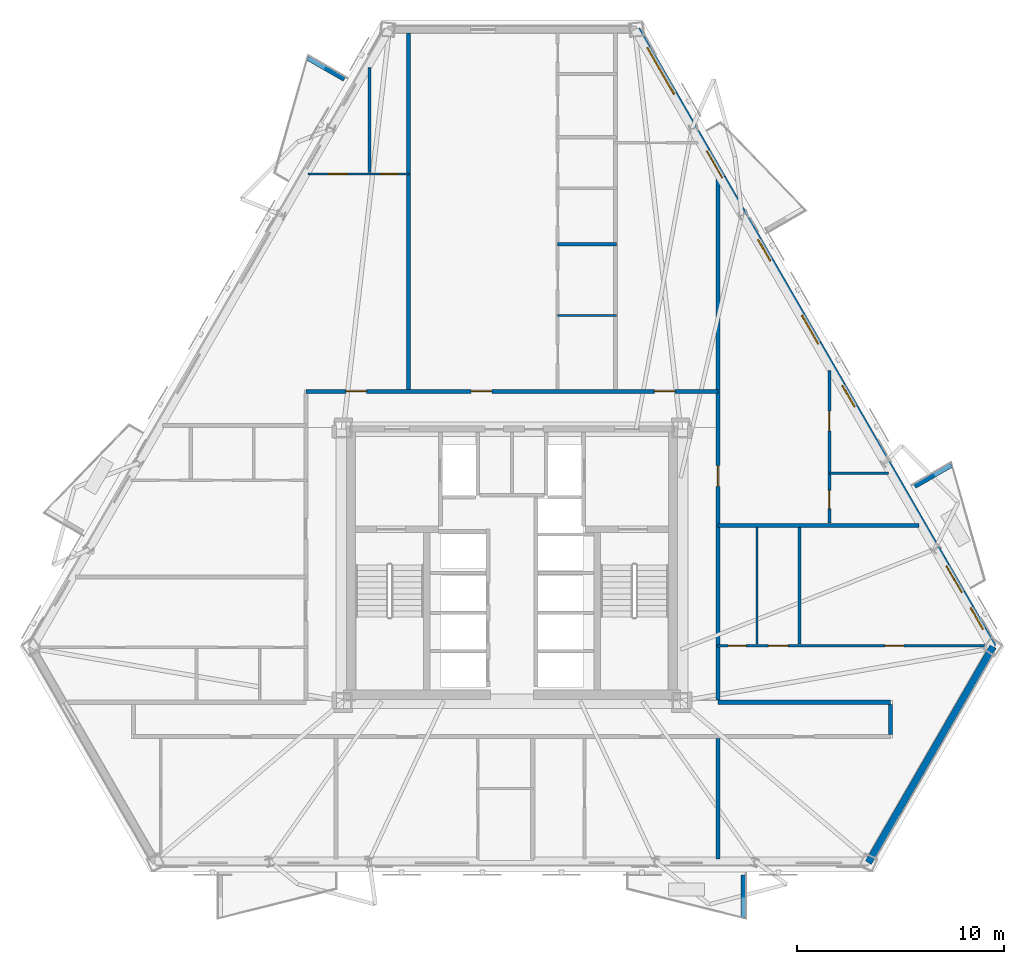
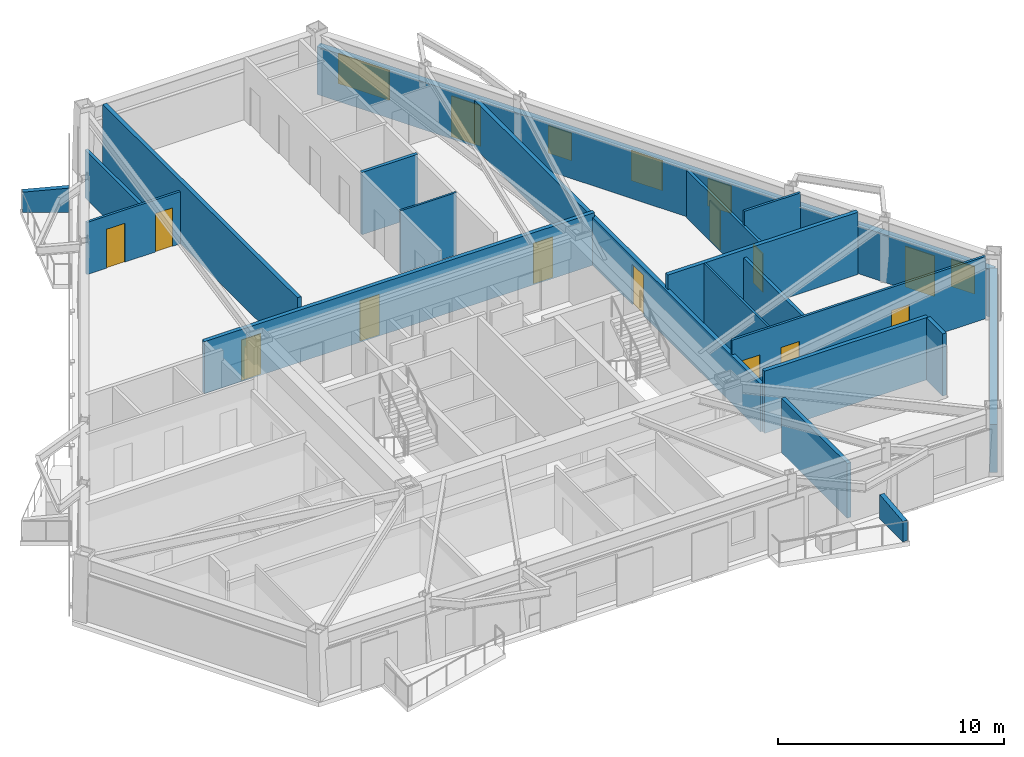
# One storey, part 5 of 10: 21 walls, 13 doors, 5 windows, 18 openings.
"""IFC4 building model written with IfcOpenShell, lengths in metres."""

from ifc_helpers import new_model, si_unit, direction, frame, frame_2d, origin, place, context, subcontext, project, spatial, polyline, rectangle, outline, extrude, material, layer, layer_set, type_object, element, fill, save


model = new_model("IFC4")

# Units and contexts
model_context = context("Model", 3, precision=1e-05, world=origin(), true_north=direction((0.0, 1.0)))
body_context = subcontext(model_context, "Body", "Model", "MODEL_VIEW")
ifc_project = project(units=[si_unit("LENGTHUNIT", "METRE"), si_unit("AREAUNIT", "SQUARE_METRE"), si_unit("VOLUMEUNIT", "CUBIC_METRE"), si_unit("PLANEANGLEUNIT", "RADIAN"), si_unit("MASSUNIT", "GRAM", prefix="KILO")], contexts=[model_context])

# Site, building, storey
site_placement = place(None, origin())
site = spatial("IfcSite", under=ifc_project, at=site_placement, CompositionType="ELEMENT")
building_placement = place(site_placement, origin())
building = spatial("IfcBuilding", under=site, at=building_placement, Name="Oramaril Tower", CompositionType="ELEMENT")
storey_placement = place(building_placement, frame((0.0, 0.0, 96.89990234375)))
storey = spatial("IfcBuildingStorey", under=building, at=storey_placement, Name="L25", CompositionType="ELEMENT", Elevation=96.89990234375)

# Wall
ifc_material_1 = material(Name="Warm Cream Limestone", Category="masonry")
ifc_layer_1 = layer(ifc_material_1, 0.340087890625)
ifc_layer_set_1 = layer_set([ifc_layer_1], Name="WT-EXT34")
wall_type_1 = type_object("IfcWallType", Name="WT-EXT34", PredefinedType="SOLIDWALL", material=ifc_layer_set_1)
wall_1_placement = place(storey_placement, frame((54.718505859375, 3.198486328125, 0.0), z_axis=(0.0, 0.0, 1.0), x_axis=(0.499978975251, 0.866037542088, 0.0)))
element("IfcWall", 1, at=wall_1_placement, inside=storey, type_object=wall_type_1, Name="L25 Tower Limestone Facade Wall 3M", PredefinedType="SOLIDWALL", context=body_context, shape_type="SweptSolid", body=[
    extrude(rectangle(XDim=12.0556640625, YDim=0.340087890625, at=frame_2d((6.02783203125, 0.0))), origin(), (0.0, 0.0, 1.0), 2.578125),
])

# Wall, openings, doors, windows
wall_2_placement = place(storey_placement, frame((60.74609375, 13.63916015625, 0.0), z_axis=(0.0, 0.0, 1.0), x_axis=(-0.499995749028, 0.86602785807, 0.0)))
wall_2 = element("IfcWall", 2, at=wall_2_placement, inside=storey, type_object=wall_type_1, Name="L25 Tower Limestone Facade Wall 4M", PredefinedType="SOLIDWALL", context=body_context, shape_type="SweptSolid", body=[
    extrude(rectangle(XDim=34.436767578125, YDim=0.340087890625, at=frame_2d((17.21826171875, 0.0))), origin(), (0.0, 0.0, 1.0), 2.578125),
])
opening_1_placement = place(wall_2_placement, frame((3.009521484375, 0.0, 0.0)))
opening_1 = element("IfcOpeningElement", 3, at=opening_1_placement, cuts=wall_2, Name="Opening D-L25-BAL-NE1", PredefinedType="OPENING", context=body_context, shape_type="SweptSolid", body=[
    extrude(rectangle(XDim=1.5, YDim=2.199951171875, at=frame_2d((0.75, 1.10009765625))), frame((0.0, 0.169921875, 0.0), z_axis=(0.0, -1.0, 0.0), x_axis=(1.0, 0.0, 0.0)), (0.0, 0.0, 1.0), 0.340087890625),
])
opening_2_placement = place(wall_2_placement, frame((26.162353515625, 0.0, 0.0)))
opening_2 = element("IfcOpeningElement", 4, at=opening_2_placement, cuts=wall_2, Name="Opening D-L25-BAL-NE2", PredefinedType="OPENING", context=body_context, shape_type="SweptSolid", body=[
    extrude(rectangle(XDim=1.5, YDim=2.199951171875, at=frame_2d((0.75, 1.10009765625))), frame((0.0, 0.169921875, 0.0), z_axis=(0.0, -1.0, 0.0), x_axis=(1.0, 0.0, 0.0)), (0.0, 0.0, 1.0), 0.340087890625),
])
opening_3_placement = place(wall_2_placement, frame((0.966064453125, 0.0, 0.85009765625)))
opening_3 = element("IfcOpeningElement", 5, at=opening_3_placement, cuts=wall_2, Name="Opening WN-09", PredefinedType="OPENING", context=body_context, shape_type="SweptSolid", body=[
    extrude(rectangle(XDim=1.199951171875, YDim=1.47998046875, at=frame_2d((0.60009765625, 0.739990234375))), frame((0.0, 0.169921875, 0.0), z_axis=(0.0, -1.0, 0.0), x_axis=(1.0, 0.0, 0.0)), (0.0, 0.0, 1.0), 0.340087890625),
])
opening_4_placement = place(wall_2_placement, frame((16.892578125, 0.0, 0.85009765625)))
opening_4 = element("IfcOpeningElement", 6, at=opening_4_placement, cuts=wall_2, Name="Opening WN-07", PredefinedType="OPENING", context=body_context, shape_type="SweptSolid", body=[
    extrude(rectangle(XDim=1.60009765625, YDim=1.617919921875, at=frame_2d((0.800048828125, 0.80908203125))), frame((0.0, 0.169921875, 0.0), z_axis=(0.0, -1.0, 0.0), x_axis=(1.0, 0.0, 0.0)), (0.0, 0.0, 1.0), 0.340087890625),
])
opening_5_placement = place(wall_2_placement, frame((21.524169921875, 0.0, 0.85009765625)))
opening_5 = element("IfcOpeningElement", 7, at=opening_5_placement, cuts=wall_2, Name="Opening WN-09", PredefinedType="OPENING", context=body_context, shape_type="SweptSolid", body=[
    extrude(rectangle(XDim=1.199951171875, YDim=1.47998046875, at=frame_2d((0.60009765625, 0.739990234375))), frame((0.0, 0.169921875, 0.0), z_axis=(0.0, -1.0, 0.0), x_axis=(1.0, 0.0, 0.0)), (0.0, 0.0, 1.0), 0.340087890625),
])
opening_6_placement = place(wall_2_placement, frame((13.37744140625, 0.0, 0.85009765625)))
opening_6 = element("IfcOpeningElement", 8, at=opening_6_placement, cuts=wall_2, Name="Opening WN-09", PredefinedType="OPENING", context=body_context, shape_type="SweptSolid", body=[
    extrude(rectangle(XDim=1.199951171875, YDim=1.47998046875, at=frame_2d((0.60009765625, 0.739990234375))), frame((0.0, 0.169921875, 0.0), z_axis=(0.0, -1.0, 0.0), x_axis=(1.0, 0.0, 0.0)), (0.0, 0.0, 1.0), 0.340087890625),
])
opening_7_placement = place(wall_2_placement, frame((30.824462890625, 0.0, 0.85009765625)))
opening_7 = element("IfcOpeningElement", 9, at=opening_7_placement, cuts=wall_2, Name="Opening WN-02", PredefinedType="OPENING", context=body_context, shape_type="SweptSolid", body=[
    extrude(rectangle(XDim=2.60009765625, YDim=1.617919921875, at=frame_2d((1.300048828125, 0.80908203125))), frame((0.0, 0.169921875, 0.0), z_axis=(0.0, -1.0, 0.0), x_axis=(1.0, 0.0, 0.0)), (0.0, 0.0, 1.0), 0.340087890625),
])
ifc_material_2 = material(Name="Anodised Aluminium 6063-T6", Category="aluminium")
door_type_1 = type_object("IfcDoorType", Name="DT-BAL", OperationType="NOTDEFINED", PredefinedType="DOOR", material=ifc_material_2)
door_1_placement = place(opening_1_placement, origin())
door_1 = element("IfcDoor", 10, at=door_1_placement, inside=storey, type_object=door_type_1, Name="L25 Balcony Glazed Door L25-BAL-NE1", OperationType="SINGLE_SWING_RIGHT", OverallHeight=2.199951171875, OverallWidth=1.5, PredefinedType="DOOR", context=body_context, shape_type="SweptSolid", body=[
    extrude(rectangle(XDim=1.5, YDim=2.199951171875, at=frame_2d((0.75, 1.10009765625))), frame((0.0, 0.02490234375, 0.0), z_axis=(0.0, -1.0, 0.0), x_axis=(1.0, 0.0, 0.0)), (0.0, 0.0, 1.0), 0.050048828125),
])
fill(opening_1, door_1)
door_2_placement = place(opening_2_placement, origin())
door_2 = element("IfcDoor", 11, at=door_2_placement, inside=storey, type_object=door_type_1, Name="L25 Balcony Glazed Door L25-BAL-NE2", OperationType="SINGLE_SWING_LEFT", OverallHeight=2.199951171875, OverallWidth=1.5, PredefinedType="DOOR", context=body_context, shape_type="SweptSolid", body=[
    extrude(rectangle(XDim=1.5, YDim=2.199951171875, at=frame_2d((0.75, 1.10009765625))), frame((0.0, 0.02490234375, 0.0), z_axis=(0.0, -1.0, 0.0), x_axis=(1.0, 0.0, 0.0)), (0.0, 0.0, 1.0), 0.050048828125),
])
fill(opening_2, door_2)
ifc_material_3 = material(Name="Coastal Low-E Insulated Glass", Category="glass")
window_type_1 = type_object("IfcWindowType", Name="WNT-02", PartitioningType="SINGLE_PANEL", PredefinedType="WINDOW", material=ifc_material_3)
window_1_placement = place(opening_7_placement, origin())
window_1 = element("IfcWindow", 12, at=window_1_placement, inside=storey, type_object=window_type_1, Name="L25 Chicago Bay Window WN-02", OverallHeight=1.617919921875, OverallWidth=2.60009765625, PartitioningType="SINGLE_PANEL", PredefinedType="WINDOW", context=body_context, shape_type="SweptSolid", body=[
    extrude(rectangle(XDim=2.60009765625, YDim=1.617919921875, at=frame_2d((1.300048828125, 0.80908203125))), frame((0.0, 0.030029296875, 0.0), z_axis=(0.0, -1.0, 0.0), x_axis=(1.0, 0.0, 0.0)), (0.0, 0.0, 1.0), 0.06005859375),
])
fill(opening_7, window_1)
ifc_material_4 = material(Name="Coastal Low-E Insulated Glass", Category="glass")
window_type_2 = type_object("IfcWindowType", Name="WNT-07", PartitioningType="SINGLE_PANEL", PredefinedType="WINDOW", material=ifc_material_4)
window_2_placement = place(opening_4_placement, origin())
window_2 = element("IfcWindow", 13, at=window_2_placement, inside=storey, type_object=window_type_2, Name="L25 Chicago Bay Window WN-07", OverallHeight=1.617919921875, OverallWidth=1.60009765625, PartitioningType="SINGLE_PANEL", PredefinedType="WINDOW", context=body_context, shape_type="SweptSolid", body=[
    extrude(rectangle(XDim=1.60009765625, YDim=1.617919921875, at=frame_2d((0.800048828125, 0.80908203125))), frame((0.0, 0.030029296875, 0.0), z_axis=(0.0, -1.0, 0.0), x_axis=(1.0, 0.0, 0.0)), (0.0, 0.0, 1.0), 0.06005859375),
])
fill(opening_4, window_2)
ifc_material_5 = material(Name="Coastal Low-E Insulated Glass", Category="glass")
window_type_3 = type_object("IfcWindowType", Name="WNT-09", PartitioningType="SINGLE_PANEL", PredefinedType="WINDOW", material=ifc_material_5)
window_3_placement = place(opening_3_placement, origin())
window_3 = element("IfcWindow", 14, at=window_3_placement, inside=storey, type_object=window_type_3, Name="L25 Chicago Bay Window WN-09", OverallHeight=1.47998046875, OverallWidth=1.199951171875, PartitioningType="SINGLE_PANEL", PredefinedType="WINDOW", context=body_context, shape_type="SweptSolid", body=[
    extrude(rectangle(XDim=1.199951171875, YDim=1.47998046875, at=frame_2d((0.60009765625, 0.739990234375))), frame((0.0, 0.030029296875, 0.0), z_axis=(0.0, -1.0, 0.0), x_axis=(1.0, 0.0, 0.0)), (0.0, 0.0, 1.0), 0.06005859375),
])
fill(opening_3, window_3)
window_4_placement = place(opening_5_placement, origin())
window_4 = element("IfcWindow", 15, at=window_4_placement, inside=storey, type_object=window_type_3, Name="L25 Chicago Bay Window WN-09", OverallHeight=1.47998046875, OverallWidth=1.199951171875, PartitioningType="SINGLE_PANEL", PredefinedType="WINDOW", context=body_context, shape_type="SweptSolid", body=[
    extrude(rectangle(XDim=1.199951171875, YDim=1.47998046875, at=frame_2d((0.60009765625, 0.739990234375))), frame((0.0, 0.030029296875, 0.0), z_axis=(0.0, -1.0, 0.0), x_axis=(1.0, 0.0, 0.0)), (0.0, 0.0, 1.0), 0.06005859375),
])
fill(opening_5, window_4)
window_5_placement = place(opening_6_placement, origin())
window_5 = element("IfcWindow", 16, at=window_5_placement, inside=storey, type_object=window_type_3, Name="L25 Chicago Bay Window WN-09", OverallHeight=1.47998046875, OverallWidth=1.199951171875, PartitioningType="SINGLE_PANEL", PredefinedType="WINDOW", context=body_context, shape_type="SweptSolid", body=[
    extrude(rectangle(XDim=1.199951171875, YDim=1.47998046875, at=frame_2d((0.60009765625, 0.739990234375))), frame((0.0, 0.030029296875, 0.0), z_axis=(0.0, -1.0, 0.0), x_axis=(1.0, 0.0, 0.0)), (0.0, 0.0, 1.0), 0.06005859375),
])
fill(opening_6, window_5)

# Walls
ifc_material_6 = material(Name="Concrete C40/50", Category="concrete")
ifc_layer_2 = layer(ifc_material_6, 0.22998046875)
ifc_layer_set_2 = layer_set([ifc_layer_2], Name="WT-PRP23")
wall_type_2 = type_object("IfcWallType", Name="WT-PRP23", PredefinedType="PARAPET", material=ifc_layer_set_2)
for number, where, z_axis, x_axis, name in (
    (17, (48.67919921875, 2.6005859375, 0.0), (0.0, 0.0, 1.0), (0.0, -1.0, 0.0), "L25 Trapezoidal Balcony Frame Cheek L25-BAL-S2-R"),
    (18, (56.9619140625, 21.3896484375, 0.0), (0.0, 0.0, 1.0), (0.866012356593, 0.500022597718, 0.0), "L25 Trapezoidal Balcony Frame Cheek L25-BAL-NE1-R"),
    (19, (29.397216796875, 41.064208984375, 0.0), (0.0, 0.0, 1.0), (-0.866042246008, 0.499970827278, 0.0), "L25 Trapezoidal Balcony Frame Cheek L25-BAL-NW1-L"),
):
    element("IfcWall", number, at=place(storey_placement, frame(where, z_axis=z_axis, x_axis=x_axis)), inside=storey, type_object=wall_type_2, Name=name, PredefinedType="PARAPET", context=body_context, shape_type="SweptSolid", body=[
        extrude(outline(polyline([(0.0, 0.0), (2.0419921875, 0.0), (2.0419921875, 1.10009765625), (0.0, 1.320068359375), (0.0, 0.0)])), frame((0.0, 0.114990234375, 0.0), z_axis=(0.0, -1.0, 0.0), x_axis=(1.0, 0.0, 0.0)), (0.0, 0.0, 1.0), 0.22998046875),
    ])
ifc_material_7 = material(Name="Acoustic Gypsum Board Partition")
ifc_layer_3 = layer(ifc_material_7, 0.10009765625)
ifc_layer_set_3 = layer_set([ifc_layer_3], Name="WT-PT10")
wall_type_3 = type_object("IfcWallType", Name="WT-PT10", PredefinedType="PARTITIONING", material=ifc_layer_set_3)
wall_3_placement = place(storey_placement, frame((39.699951171875, 29.639892578125, 0.0), z_axis=(0.0, 0.0, 1.0), x_axis=(1.0, 0.0, 0.0)))
element("IfcWall", 20, at=wall_3_placement, inside=storey, type_object=wall_type_3, Name="L25 Interior Partition PT-10", PredefinedType="PARTITIONING", context=body_context, shape_type="SweptSolid", body=[
    extrude(rectangle(XDim=2.85009765625, YDim=0.10009765625, at=frame_2d((1.425048828125, 0.0))), origin(), (0.0, 0.0, 1.0), 3.360107421875),
])
wall_4_placement = place(storey_placement, frame((49.340087890625, 13.75390625, 0.0), z_axis=(0.0, 0.0, 1.0), x_axis=(0.0, 1.0, 0.0)))
element("IfcWall", 21, at=wall_4_placement, inside=storey, type_object=wall_type_3, Name="L25 Interior Partition PT-10", PredefinedType="PARTITIONING", context=body_context, shape_type="SweptSolid", body=[
    extrude(rectangle(XDim=5.64208984375, YDim=0.10009765625, at=frame_2d((2.821044921875, 0.0))), origin(), (0.0, 0.0, 1.0), 3.360107421875),
])

# Wall, openings, doors
ifc_material_8 = material(Name="Acoustic Gypsum Board Partition")
ifc_layer_4 = layer(ifc_material_8, 0.1201171875)
ifc_layer_set_4 = layer_set([ifc_layer_4], Name="WT-PT12")
wall_type_4 = type_object("IfcWallType", Name="WT-PT12", PredefinedType="PARTITIONING", material=ifc_layer_set_4)
wall_5_placement = place(storey_placement, frame((47.39990234375, 13.68994140625, 0.0), z_axis=(0.0, 0.0, 1.0), x_axis=(1.0, 0.0, 0.0)))
wall_5 = element("IfcWall", 22, at=wall_5_placement, inside=storey, type_object=wall_type_4, Name="L25 Interior Partition PT-12", PredefinedType="PARTITIONING", context=body_context, shape_type="SweptSolid", body=[
    extrude(rectangle(XDim=12.953369140625, YDim=0.1201171875, at=frame_2d((6.4765625, 0.0))), origin(), (0.0, 0.0, 1.0), 3.360107421875),
])
opening_8_placement = place(wall_5_placement, frame((0.5400390625, 0.0, 0.0)))
opening_8 = element("IfcOpeningElement", 23, at=opening_8_placement, cuts=wall_5, Name="Opening D-L25-08", PredefinedType="OPENING", context=body_context, shape_type="SweptSolid", body=[
    extrude(rectangle(XDim=0.8798828125, YDim=2.080078125, at=frame_2d((0.43994140625, 1.0400390625))), frame((0.0, 0.06005859375, 0.0), z_axis=(0.0, -1.0, 0.0), x_axis=(1.0, 0.0, 0.0)), (0.0, 0.0, 1.0), 0.1201171875),
])
opening_9_placement = place(wall_5_placement, frame((2.489990234375, 0.0, 0.0)))
opening_9 = element("IfcOpeningElement", 24, at=opening_9_placement, cuts=wall_5, Name="Opening D-L25-09", PredefinedType="OPENING", context=body_context, shape_type="SweptSolid", body=[
    extrude(rectangle(XDim=0.949951171875, YDim=2.10009765625, at=frame_2d((0.47509765625, 1.050048828125))), frame((0.0, 0.06005859375, 0.0), z_axis=(0.0, -1.0, 0.0), x_axis=(1.0, 0.0, 0.0)), (0.0, 0.0, 1.0), 0.1201171875),
])
opening_10_placement = place(wall_5_placement, frame((8.123046875, 0.0, 0.0)))
opening_10 = element("IfcOpeningElement", 25, at=opening_10_placement, cuts=wall_5, Name="Opening D-L25-10", PredefinedType="OPENING", context=body_context, shape_type="SweptSolid", body=[
    extrude(rectangle(XDim=0.919921875, YDim=2.1201171875, at=frame_2d((0.4599609375, 1.06005859375))), frame((0.0, 0.06005859375, 0.0), z_axis=(0.0, -1.0, 0.0), x_axis=(1.0, 0.0, 0.0)), (0.0, 0.0, 1.0), 0.1201171875),
])
ifc_material_9 = material(Name="FSC Brazilian Freijo Hardwood", Category="wood")
door_type_2 = type_object("IfcDoorType", Name="DT-BATH", OperationType="NOTDEFINED", PredefinedType="DOOR", material=ifc_material_9)
door_3_placement = place(opening_8_placement, origin())
door_3 = element("IfcDoor", 26, at=door_3_placement, inside=storey, type_object=door_type_2, Name="L25 Flat L25-U6 Bathroom Door D-L25-08", OperationType="SINGLE_SWING_RIGHT", OverallHeight=2.080078125, OverallWidth=0.8798828125, PredefinedType="DOOR", context=body_context, shape_type="SweptSolid", body=[
    extrude(rectangle(XDim=0.8798828125, YDim=2.080078125, at=frame_2d((0.43994140625, 1.0400390625))), frame((0.0, 0.02490234375, 0.0), z_axis=(0.0, -1.0, 0.0), x_axis=(1.0, 0.0, 0.0)), (0.0, 0.0, 1.0), 0.050048828125),
])
fill(opening_8, door_3)
ifc_material_10 = material(Name="FSC Brazilian Freijo Hardwood", Category="wood")
door_type_3 = type_object("IfcDoorType", Name="DT-BED", OperationType="NOTDEFINED", PredefinedType="DOOR", material=ifc_material_10)
door_4_placement = place(opening_10_placement, origin())
door_4 = element("IfcDoor", 27, at=door_4_placement, inside=storey, type_object=door_type_3, Name="L25 Flat L25-U6 Master Bedroom Door D-L25-10", OperationType="SINGLE_SWING_RIGHT", OverallHeight=2.1201171875, OverallWidth=0.919921875, PredefinedType="DOOR", context=body_context, shape_type="SweptSolid", body=[
    extrude(rectangle(XDim=0.919921875, YDim=2.1201171875, at=frame_2d((0.4599609375, 1.06005859375))), frame((0.0, 0.02490234375, 0.0), z_axis=(0.0, -1.0, 0.0), x_axis=(1.0, 0.0, 0.0)), (0.0, 0.0, 1.0), 0.050048828125),
])
fill(opening_10, door_4)
ifc_material_11 = material(Name="FSC Brazilian Freijo Hardwood", Category="wood")
door_type_4 = type_object("IfcDoorType", Name="DT-STDY", OperationType="NOTDEFINED", PredefinedType="DOOR", material=ifc_material_11)
door_5_placement = place(opening_9_placement, origin())
door_5 = element("IfcDoor", 28, at=door_5_placement, inside=storey, type_object=door_type_4, Name="L25 Flat L25-U6 Kitchen Door D-L25-09", OperationType="SINGLE_SWING_LEFT", OverallHeight=2.10009765625, OverallWidth=0.949951171875, PredefinedType="DOOR", context=body_context, shape_type="SweptSolid", body=[
    extrude(rectangle(XDim=0.949951171875, YDim=2.10009765625, at=frame_2d((0.47509765625, 1.050048828125))), frame((0.0, 0.02490234375, 0.0), z_axis=(0.0, -1.0, 0.0), x_axis=(1.0, 0.0, 0.0)), (0.0, 0.0, 1.0), 0.050048828125),
])
fill(opening_9, door_5)

# Wall
wall_6_placement = place(storey_placement, frame((52.839111328125, 22.02001953125, 0.0), z_axis=(0.0, 0.0, 1.0), x_axis=(1.0, 0.0, 0.0)))
element("IfcWall", 29, at=wall_6_placement, inside=storey, type_object=wall_type_4, Name="L25 Interior Partition PT-12", PredefinedType="PARTITIONING", context=body_context, shape_type="SweptSolid", body=[
    extrude(rectangle(XDim=2.867431640625, YDim=0.1201171875, at=frame_2d((1.43359375, 0.0))), origin(), (0.0, 0.0, 1.0), 3.360107421875),
])

# Wall, openings, doors
wall_7_placement = place(storey_placement, frame((27.641845703125, 36.47998046875, 0.0), z_axis=(0.0, 0.0, 1.0), x_axis=(1.0, 0.0, 0.0)))
wall_7 = element("IfcWall", 30, at=wall_7_placement, inside=storey, type_object=wall_type_4, Name="L25 Interior Partition PT-12", PredefinedType="PARTITIONING", context=body_context, shape_type="SweptSolid", body=[
    extrude(rectangle(XDim=4.908203125, YDim=0.1201171875, at=frame_2d((2.4541015625, 0.0))), origin(), (0.0, 0.0, 1.0), 2.814208984375),
])
opening_11_placement = place(wall_7_placement, frame((0.978759765625, 0.0, 0.0)))
opening_11 = element("IfcOpeningElement", 31, at=opening_11_placement, cuts=wall_7, Name="Opening D-L25-17", PredefinedType="OPENING", context=body_context, shape_type="SweptSolid", body=[
    extrude(rectangle(XDim=0.949951171875, YDim=2.10009765625, at=frame_2d((0.47509765625, 1.050048828125))), frame((0.0, 0.06005859375, 0.0), z_axis=(0.0, -1.0, 0.0), x_axis=(1.0, 0.0, 0.0)), (0.0, 0.0, 1.0), 0.1201171875),
])
opening_12_placement = place(wall_7_placement, frame((3.488037109375, 0.0, 0.0)))
opening_12 = element("IfcOpeningElement", 32, at=opening_12_placement, cuts=wall_7, Name="Opening D-L25-18", PredefinedType="OPENING", context=body_context, shape_type="SweptSolid", body=[
    extrude(rectangle(XDim=0.8798828125, YDim=2.080078125, at=frame_2d((0.43994140625, 1.0400390625))), frame((0.0, 0.06005859375, 0.0), z_axis=(0.0, -1.0, 0.0), x_axis=(1.0, 0.0, 0.0)), (0.0, 0.0, 1.0), 0.1201171875),
])
door_6_placement = place(opening_12_placement, origin())
door_6 = element("IfcDoor", 33, at=door_6_placement, inside=storey, type_object=door_type_2, Name="L25 Flat L25-U8 Bathroom Door D-L25-18", OperationType="SINGLE_SWING_RIGHT", OverallHeight=2.080078125, OverallWidth=0.8798828125, PredefinedType="DOOR", context=body_context, shape_type="SweptSolid", body=[
    extrude(rectangle(XDim=0.8798828125, YDim=2.080078125, at=frame_2d((0.43994140625, 1.0400390625))), frame((0.0, 0.02490234375, 0.0), z_axis=(0.0, -1.0, 0.0), x_axis=(1.0, 0.0, 0.0)), (0.0, 0.0, 1.0), 0.050048828125),
])
fill(opening_12, door_6)
door_7_placement = place(opening_11_placement, origin())
door_7 = element("IfcDoor", 34, at=door_7_placement, inside=storey, type_object=door_type_4, Name="L25 Flat L25-U8 Kitchen Door D-L25-17", OperationType="SINGLE_SWING_LEFT", OverallHeight=2.10009765625, OverallWidth=0.949951171875, PredefinedType="DOOR", context=body_context, shape_type="SweptSolid", body=[
    extrude(rectangle(XDim=0.949951171875, YDim=2.10009765625, at=frame_2d((0.47509765625, 1.050048828125))), frame((0.0, 0.02490234375, 0.0), z_axis=(0.0, -1.0, 0.0), x_axis=(1.0, 0.0, 0.0)), (0.0, 0.0, 1.0), 0.050048828125),
])
fill(opening_11, door_7)

ifc_material_12 = material(Name="Acoustic Gypsum Board Partition")
ifc_layer_5 = layer(ifc_material_12, 0.139892578125)
ifc_layer_set_5 = layer_set([ifc_layer_5], Name="WT-PT14")
wall_type_5 = type_object("IfcWallType", Name="WT-PT14", PredefinedType="PARTITIONING", material=ifc_layer_set_5)
wall_8_placement = place(storey_placement, frame((52.840087890625, 19.60400390625, 0.0), z_axis=(0.0, 0.0, 1.0), x_axis=(0.0, 1.0, 0.0)))
wall_8 = element("IfcWall", 35, at=wall_8_placement, inside=storey, type_object=wall_type_5, Name="L25 Interior Partition PT-14", PredefinedType="PARTITIONING", context=body_context, shape_type="SweptSolid", body=[
    extrude(rectangle(XDim=7.381103515625, YDim=0.139892578125, at=frame_2d((3.6904296875, 0.0))), origin(), (0.0, 0.0, 1.0), 2.578125),
])
opening_13_placement = place(wall_8_placement, frame((0.700927734375, 0.0, 0.0)))
opening_13 = element("IfcOpeningElement", 36, at=opening_13_placement, cuts=wall_8, Name="Opening D-L25-33", PredefinedType="OPENING", context=body_context, shape_type="SweptSolid", body=[
    extrude(rectangle(XDim=0.8798828125, YDim=2.080078125, at=frame_2d((0.43994140625, 1.0400390625))), frame((0.0, 0.06982421875, 0.0), z_axis=(0.0, -1.0, 0.0), x_axis=(1.0, 0.0, 0.0)), (0.0, 0.0, 1.0), 0.139892578125),
])
opening_14_placement = place(wall_8_placement, frame((4.463134765625, 0.0, 0.0)))
opening_14 = element("IfcOpeningElement", 37, at=opening_14_placement, cuts=wall_8, Name="Opening D-L25-34", PredefinedType="OPENING", context=body_context, shape_type="SweptSolid", body=[
    extrude(rectangle(XDim=0.949951171875, YDim=2.10009765625, at=frame_2d((0.47509765625, 1.050048828125))), frame((0.0, 0.06982421875, 0.0), z_axis=(0.0, -1.0, 0.0), x_axis=(1.0, 0.0, 0.0)), (0.0, 0.0, 1.0), 0.139892578125),
])
door_8_placement = place(opening_13_placement, origin())
door_8 = element("IfcDoor", 38, at=door_8_placement, inside=storey, type_object=door_type_2, Name="L25 Flat L25-U7 Bathroom Door D-L25-33", OperationType="SINGLE_SWING_LEFT", OverallHeight=2.080078125, OverallWidth=0.8798828125, PredefinedType="DOOR", context=body_context, shape_type="SweptSolid", body=[
    extrude(rectangle(XDim=0.8798828125, YDim=2.080078125, at=frame_2d((0.43994140625, 1.0400390625))), frame((0.0, 0.02490234375, 0.0), z_axis=(0.0, -1.0, 0.0), x_axis=(1.0, 0.0, 0.0)), (0.0, 0.0, 1.0), 0.050048828125),
])
fill(opening_13, door_8)
door_9_placement = place(opening_14_placement, origin())
door_9 = element("IfcDoor", 39, at=door_9_placement, inside=storey, type_object=door_type_4, Name="L25 Flat L25-U7 Kitchen Door D-L25-34", OperationType="SINGLE_SWING_RIGHT", OverallHeight=2.10009765625, OverallWidth=0.949951171875, PredefinedType="DOOR", context=body_context, shape_type="SweptSolid", body=[
    extrude(rectangle(XDim=0.949951171875, YDim=2.10009765625, at=frame_2d((0.47509765625, 1.050048828125))), frame((0.0, 0.02490234375, 0.0), z_axis=(0.0, -1.0, 0.0), x_axis=(1.0, 0.0, 0.0)), (0.0, 0.0, 1.0), 0.050048828125),
])
fill(opening_14, door_9)

# Walls
ifc_material_13 = material(Name="Acoustic Gypsum Board Partition")
ifc_layer_6 = layer(ifc_material_13, 0.159912109375)
ifc_layer_set_6 = layer_set([ifc_layer_6], Name="WT-PT16")
wall_type_6 = type_object("IfcWallType", Name="WT-PT16", PredefinedType="PARTITIONING", material=ifc_layer_set_6)
wall_9_placement = place(storey_placement, frame((39.699951171875, 33.080078125, 0.0), z_axis=(0.0, 0.0, 1.0), x_axis=(1.0, 0.0, 0.0)))
element("IfcWall", 40, at=wall_9_placement, inside=storey, type_object=wall_type_6, Name="L25 Interior Partition PT-16", PredefinedType="PARTITIONING", context=body_context, shape_type="SweptSolid", body=[
    extrude(rectangle(XDim=2.85009765625, YDim=0.159912109375, at=frame_2d((1.425048828125, 0.0))), origin(), (0.0, 0.0, 1.0), 3.360107421875),
])
wall_10_placement = place(storey_placement, frame((30.610107421875, 36.5439453125, 0.0), z_axis=(0.0, 0.0, 1.0), x_axis=(0.0, 1.0, 0.0)))
element("IfcWall", 41, at=wall_10_placement, inside=storey, type_object=wall_type_6, Name="L25 Interior Partition PT-16", PredefinedType="PARTITIONING", context=body_context, shape_type="SweptSolid", body=[
    extrude(rectangle(XDim=5.076904296875, YDim=0.159912109375, at=frame_2d((2.53857421875, 0.0))), origin(), (0.0, 0.0, 1.0), 2.578125),
])
wall_11_placement = place(storey_placement, frame((51.389892578125, 13.75390625, 0.0), z_axis=(0.0, 0.0, 1.0), x_axis=(0.0, 1.0, 0.0)))
element("IfcWall", 42, at=wall_11_placement, inside=storey, type_object=wall_type_6, Name="L25 Interior Partition PT-16", PredefinedType="PARTITIONING", context=body_context, shape_type="SweptSolid", body=[
    extrude(rectangle(XDim=5.64208984375, YDim=0.159912109375, at=frame_2d((2.821044921875, 0.0))), origin(), (0.0, 0.0, 1.0), 2.946044921875),
])
ifc_material_14 = material(Name="Autoclaved Cellular Concrete Block", Category="concrete")
ifc_layer_7 = layer(ifc_material_14, 0.199951171875)
ifc_layer_set_7 = layer_set([ifc_layer_7], Name="WT-PT20")
wall_type_7 = type_object("IfcWallType", Name="WT-PT20", PredefinedType="PARTITIONING", material=ifc_layer_set_7)
wall_12_placement = place(storey_placement, frame((47.449951171875, 10.949951171875, 0.0), z_axis=(0.0, 0.0, 1.0), x_axis=(1.0, 0.0, 0.0)))
element("IfcWall", 43, at=wall_12_placement, inside=storey, type_object=wall_type_7, Name="L25 Interior Partition PT-20", PredefinedType="PARTITIONING", context=body_context, shape_type="SweptSolid", body=[
    extrude(rectangle(XDim=8.35009765625, YDim=0.199951171875, at=frame_2d((4.175048828125, 0.0))), origin(), (0.0, 0.0, 1.0), 3.360107421875),
])
wall_13_placement = place(storey_placement, frame((47.449951171875, 19.5, 0.0), z_axis=(0.0, 0.0, 1.0), x_axis=(1.0, 0.0, 0.0)))
element("IfcWall", 44, at=wall_13_placement, inside=storey, type_object=wall_type_7, Name="L25 Interior Partition PT-20", PredefinedType="PARTITIONING", context=body_context, shape_type="SweptSolid", body=[
    extrude(rectangle(XDim=9.711669921875, YDim=0.199951171875, at=frame_2d((4.85595703125, 0.0))), origin(), (0.0, 0.0, 1.0), 3.360107421875),
])

# Wall, openings, doors
wall_14_placement = place(storey_placement, frame((27.550048828125, 25.969970703125, 0.0), z_axis=(0.0, 0.0, 1.0), x_axis=(1.0, 0.0, 0.0)))
wall_14 = element("IfcWall", 45, at=wall_14_placement, inside=storey, type_object=wall_type_7, Name="L25 Interior Partition PT-20", PredefinedType="PARTITIONING", context=body_context, shape_type="SweptSolid", body=[
    extrude(rectangle(XDim=19.89990234375, YDim=0.199951171875, at=frame_2d((9.949951171875, 0.0))), origin(), (0.0, 0.0, 1.0), 2.814208984375),
])
opening_15_placement = place(wall_14_placement, frame((1.921875, 0.0, 0.0)))
opening_15 = element("IfcOpeningElement", 46, at=opening_15_placement, cuts=wall_14, Name="Opening D-L25-14", PredefinedType="OPENING", context=body_context, shape_type="SweptSolid", body=[
    extrude(rectangle(XDim=1.0, YDim=2.179931640625, at=frame_2d((0.5, 1.08984375))), frame((0.0, 0.10009765625, 0.0), z_axis=(0.0, -1.0, 0.0), x_axis=(1.0, 0.0, 0.0)), (0.0, 0.0, 1.0), 0.199951171875),
])
opening_16_placement = place(wall_14_placement, frame((7.976806640625, 0.0, 0.0)))
opening_16 = element("IfcOpeningElement", 47, at=opening_16_placement, cuts=wall_14, Name="Opening D-L25-15", PredefinedType="OPENING", context=body_context, shape_type="SweptSolid", body=[
    extrude(rectangle(XDim=1.0, YDim=2.179931640625, at=frame_2d((0.5, 1.08984375))), frame((0.0, 0.10009765625, 0.0), z_axis=(0.0, -1.0, 0.0), x_axis=(1.0, 0.0, 0.0)), (0.0, 0.0, 1.0), 0.199951171875),
])
opening_17_placement = place(wall_14_placement, frame((16.829833984375, 0.0, 0.0)))
opening_17 = element("IfcOpeningElement", 48, at=opening_17_placement, cuts=wall_14, Name="Opening D-L25-16", PredefinedType="OPENING", context=body_context, shape_type="SweptSolid", body=[
    extrude(rectangle(XDim=1.0, YDim=2.179931640625, at=frame_2d((0.5, 1.08984375))), frame((0.0, 0.10009765625, 0.0), z_axis=(0.0, -1.0, 0.0), x_axis=(1.0, 0.0, 0.0)), (0.0, 0.0, 1.0), 0.199951171875),
])
ifc_material_15 = material(Name="FSC Brazilian Freijo Hardwood", Category="wood")
door_type_5 = type_object("IfcDoorType", Name="DT-APT", OperationType="NOTDEFINED", PredefinedType="DOOR", material=ifc_material_15)
door_10_placement = place(opening_15_placement, origin())
door_10 = element("IfcDoor", 49, at=door_10_placement, inside=storey, type_object=door_type_5, Name="L25 Flat L25-U8 Studio Apartment Door D-L25-14", OperationType="SINGLE_SWING_RIGHT", OverallHeight=2.179931640625, OverallWidth=1.0, PredefinedType="DOOR", context=body_context, shape_type="SweptSolid", body=[
    extrude(rectangle(XDim=1.0, YDim=2.179931640625, at=frame_2d((0.5, 1.08984375))), frame((0.0, 0.02490234375, 0.0), z_axis=(0.0, -1.0, 0.0), x_axis=(1.0, 0.0, 0.0)), (0.0, 0.0, 1.0), 0.050048828125),
])
fill(opening_15, door_10)
door_11_placement = place(opening_16_placement, origin())
door_11 = element("IfcDoor", 50, at=door_11_placement, inside=storey, type_object=door_type_5, Name="L25 Flat L25-U9 Penthouse 2-Bedroom Living and Dining Room Door D-L25-15", OperationType="SINGLE_SWING_LEFT", OverallHeight=2.179931640625, OverallWidth=1.0, PredefinedType="DOOR", context=body_context, shape_type="SweptSolid", body=[
    extrude(rectangle(XDim=1.0, YDim=2.179931640625, at=frame_2d((0.5, 1.08984375))), frame((0.0, 0.02490234375, 0.0), z_axis=(0.0, -1.0, 0.0), x_axis=(1.0, 0.0, 0.0)), (0.0, 0.0, 1.0), 0.050048828125),
])
fill(opening_16, door_11)
door_12_placement = place(opening_17_placement, origin())
door_12 = element("IfcDoor", 51, at=door_12_placement, inside=storey, type_object=door_type_5, Name="L25 Flat L25-U10 Kitchen and Studio Apartment Door D-L25-16", OperationType="SINGLE_SWING_RIGHT", OverallHeight=2.179931640625, OverallWidth=1.0, PredefinedType="DOOR", context=body_context, shape_type="SweptSolid", body=[
    extrude(rectangle(XDim=1.0, YDim=2.179931640625, at=frame_2d((0.5, 1.08984375))), frame((0.0, 0.02490234375, 0.0), z_axis=(0.0, -1.0, 0.0), x_axis=(1.0, 0.0, 0.0)), (0.0, 0.0, 1.0), 0.050048828125),
])
fill(opening_17, door_12)

# Walls
wall_15_placement = place(storey_placement, frame((32.5, 26.073974609375, 0.0), z_axis=(0.0, 0.0, 1.0), x_axis=(0.0, 1.0, 0.0)))
element("IfcWall", 52, at=wall_15_placement, inside=storey, type_object=wall_type_7, Name="L25 Interior Partition PT-20", PredefinedType="PARTITIONING", context=body_context, shape_type="SweptSolid", body=[
    extrude(rectangle(XDim=17.21435546875, YDim=0.199951171875, at=frame_2d((8.607177734375, 0.0))), origin(), (0.0, 0.0, 1.0), 3.360107421875),
])
wall_16_placement = place(storey_placement, frame((47.449951171875, 3.37255859375, 0.0), z_axis=(0.0, 0.0, 1.0), x_axis=(0.0, 1.0, 0.0)))
element("IfcWall", 53, at=wall_16_placement, inside=storey, type_object=wall_type_7, Name="L25 Interior Partition PT-20", PredefinedType="PARTITIONING", context=body_context, shape_type="SweptSolid", body=[
    extrude(rectangle(XDim=5.823486328125, YDim=0.199951171875, at=frame_2d((2.91162109375, 0.0))), origin(), (0.0, 0.0, 1.0), 2.946044921875),
])

# Wall, opening, door
wall_17_placement = place(storey_placement, frame((47.449951171875, 11.053955078125, 0.0), z_axis=(0.0, 0.0, 1.0), x_axis=(0.0, 1.0, 0.0)))
wall_17 = element("IfcWall", 54, at=wall_17_placement, inside=storey, type_object=wall_type_7, Name="L25 Interior Partition PT-20", PredefinedType="PARTITIONING", context=body_context, shape_type="SweptSolid", body=[
    extrude(rectangle(XDim=25.266845703125, YDim=0.199951171875, at=frame_2d((12.63330078125, 0.0))), origin(), (0.0, 0.0, 1.0), 2.578125),
])
opening_18_placement = place(wall_17_placement, frame((10.3349609375, 0.0, 0.0)))
opening_18 = element("IfcOpeningElement", 55, at=opening_18_placement, cuts=wall_17, Name="Opening D-L25-32", PredefinedType="OPENING", context=body_context, shape_type="SweptSolid", body=[
    extrude(rectangle(XDim=1.0, YDim=2.179931640625, at=frame_2d((0.5, 1.08984375))), frame((0.0, 0.10009765625, 0.0), z_axis=(0.0, -1.0, 0.0), x_axis=(1.0, 0.0, 0.0)), (0.0, 0.0, 1.0), 0.199951171875),
])
door_13_placement = place(opening_18_placement, origin())
door_13 = element("IfcDoor", 56, at=door_13_placement, inside=storey, type_object=door_type_5, Name="L25 Flat L25-U7 Studio Apartment Door D-L25-32", OperationType="SINGLE_SWING_RIGHT", OverallHeight=2.179931640625, OverallWidth=1.0, PredefinedType="DOOR", context=body_context, shape_type="SweptSolid", body=[
    extrude(rectangle(XDim=1.0, YDim=2.179931640625, at=frame_2d((0.5, 1.08984375))), frame((0.0, 0.02490234375, 0.0), z_axis=(0.0, -1.0, 0.0), x_axis=(1.0, 0.0, 0.0)), (0.0, 0.0, 1.0), 0.050048828125),
])
fill(opening_18, door_13)

# Wall
wall_18_placement = place(storey_placement, frame((55.800048828125, 9.404052734375, 0.0), z_axis=(0.0, 0.0, 1.0), x_axis=(0.0, 1.0, 0.0)))
element("IfcWall", 57, at=wall_18_placement, inside=storey, type_object=wall_type_7, Name="L25 Interior Partition PT-20", PredefinedType="PARTITIONING", context=body_context, shape_type="SweptSolid", body=[
    extrude(rectangle(XDim=1.44189453125, YDim=0.199951171875, at=frame_2d((0.720947265625, 0.0))), origin(), (0.0, 0.0, 1.0), 3.360107421875),
])

save(model, "model.ifc")
